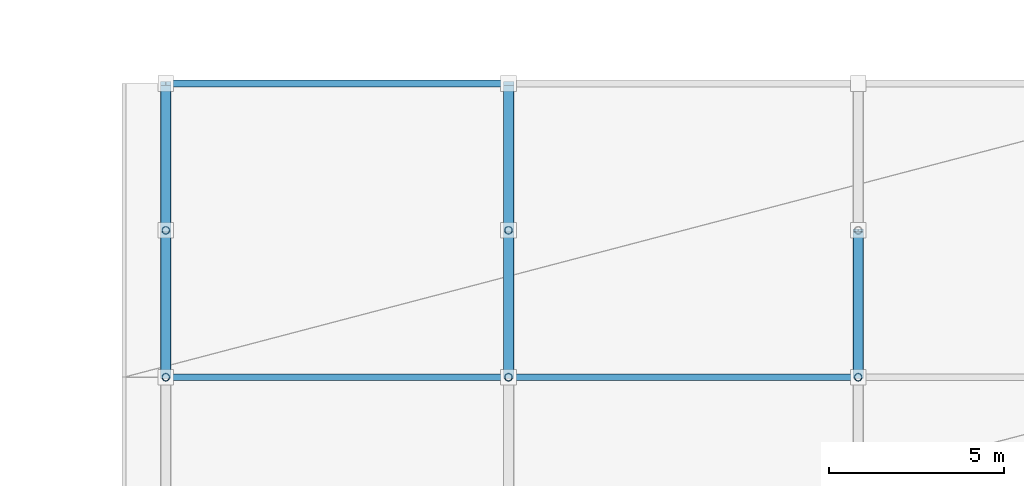
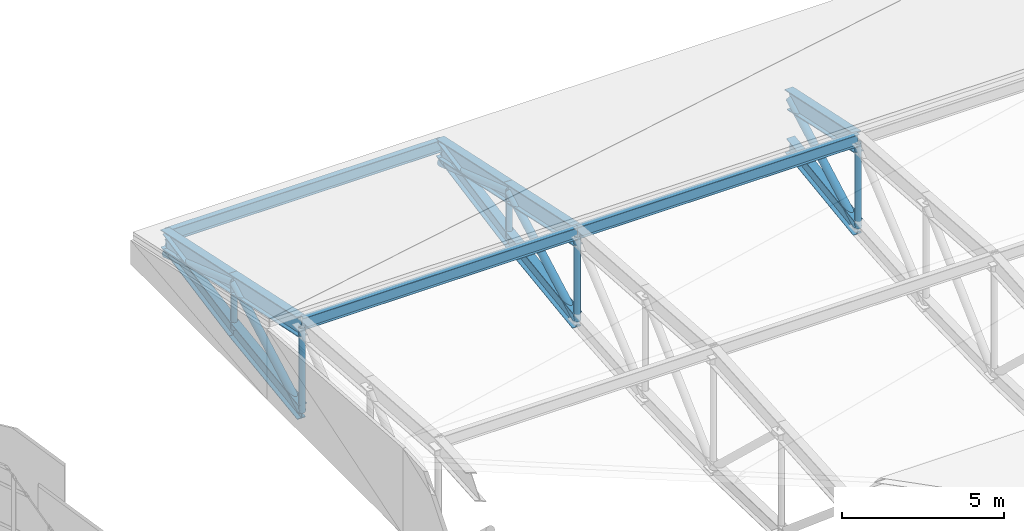
# One storey, part 54 of 87: 13 beams, 10 members.
"""IFC4 building model written with IfcOpenShell, lengths in metres."""

from ifc_helpers import new_model, si_unit, direction, frame, origin, origin_2d, place, context, subcontext, project, spatial, hollow_circle, i_section, extrude, material, material_profile, profile_set, type_object, element, save


model = new_model("IFC4")

# Units and contexts
model_context = context("Model", 3, precision=1e-05, world=origin(), true_north=direction((0.0, 1.0)))
body_context = subcontext(model_context, "Body", "Model", "MODEL_VIEW")
ifc_project = project(units=[si_unit("LENGTHUNIT", "METRE"), si_unit("AREAUNIT", "SQUARE_METRE"), si_unit("VOLUMEUNIT", "CUBIC_METRE"), si_unit("PLANEANGLEUNIT", "RADIAN"), si_unit("MASSUNIT", "GRAM", prefix="KILO")], contexts=[model_context])

# Site, building, storey
site_placement = place(None, origin())
site = spatial("IfcSite", under=ifc_project, at=site_placement, CompositionType="ELEMENT")
building_placement = place(site_placement, origin())
building = spatial("IfcBuilding", under=site, at=building_placement, Name="Sohan Crest Arena", CompositionType="ELEMENT")
storey_placement = place(building_placement, frame((0.0, 0.0, 18.0)))
storey = spatial("IfcBuildingStorey", under=building, at=storey_placement, Name="L04", CompositionType="ELEMENT", Elevation=18.0)

# Beams
ifc_material = material(Name="Steel S355", Category="steel")
ifc_material_profile_1 = material_profile(ifc_material, i_section(OverallWidth=0.18994140625, OverallDepth=0.449951171875, WebThickness=0.009521484375, FlangeThickness=0.0146484375, at=origin_2d()), Name="IPE 450")
ifc_profile_set_1 = profile_set([ifc_material_profile_1], Name="Steel S355")
beam_type_1 = type_object("IfcBeamType", Name="STR-BM-B04", PredefinedType="JOIST", material=ifc_profile_set_1)
beam_1_placement = place(storey_placement, frame((196.199951171875, 102.39990234375, 2.2900390625), z_axis=(1.0, 0.0, 0.0), x_axis=(0.0, 1.0, 0.0)))
element("IfcBeam", 1, at=beam_1_placement, inside=storey, type_object=beam_type_1, Name="Structural beam VP-L04-2496", PredefinedType="JOIST", context=body_context, shape_type="SweptSolid", body=[
    extrude(i_section(OverallWidth=0.18994140625, OverallDepth=0.449951171875, WebThickness=0.009521484375, FlangeThickness=0.0146484375, at=origin_2d()), origin(), (0.0, 0.0, 1.0), 9.800048828125),
])
beam_2_placement = place(storey_placement, frame((206.0, 102.39990234375, 2.2900390625), z_axis=(1.0, 0.0, 0.0), x_axis=(0.0, 1.0, 0.0)))
element("IfcBeam", 2, at=beam_2_placement, inside=storey, type_object=beam_type_1, Name="Structural beam VP-L04-2497", PredefinedType="JOIST", context=body_context, shape_type="SweptSolid", body=[
    extrude(i_section(OverallWidth=0.18994140625, OverallDepth=0.449951171875, WebThickness=0.009521484375, FlangeThickness=0.0146484375, at=origin_2d()), origin(), (0.0, 0.0, 1.0), 10.0),
])
beam_3_placement = place(storey_placement, frame((196.199951171875, 110.800048828125, 0.489990234375), z_axis=(1.0, 0.0, 0.0), x_axis=(0.0, 1.0, 0.0)))
element("IfcBeam", 3, at=beam_3_placement, inside=storey, type_object=beam_type_1, Name="Structural beam VP-L04-2499", PredefinedType="JOIST", context=body_context, shape_type="SweptSolid", body=[
    extrude(i_section(OverallWidth=0.18994140625, OverallDepth=0.449951171875, WebThickness=0.009521484375, FlangeThickness=0.0146484375, at=origin_2d()), origin(), (0.0, 0.0, 1.0), 9.800048828125),
])
ifc_material_profile_2 = material_profile(ifc_material, i_section(OverallWidth=0.300048828125, OverallDepth=0.590087890625, WebThickness=0.012939453125, FlangeThickness=0.02490234375, at=origin_2d()), Name="HEA 600")
ifc_profile_set_2 = profile_set([ifc_material_profile_2], Name="Steel S355")
beam_type_2 = type_object("IfcBeamType", Name="STR-BM-B11", PredefinedType="BEAM", material=ifc_profile_set_2)
beam_4_placement = place(storey_placement, frame((196.199951171875, 102.39990234375, -1.037109375), z_axis=(0.0, 0.990659791804, 0.136356799988), x_axis=(-1.0, 0.0, 0.0)))
element("IfcBeam", 4, at=beam_4_placement, inside=storey, type_object=beam_type_2, Name="Structural beam VAB-L04-2439", PredefinedType="BEAM", context=body_context, shape_type="SweptSolid", body=[
    extrude(i_section(OverallWidth=0.300048828125, OverallDepth=0.590087890625, WebThickness=0.012939453125, FlangeThickness=0.02490234375, at=origin_2d()), origin(), (0.0, 0.0, 1.0), 4.23974609375),
])
beam_5_placement = place(storey_placement, frame((196.199951171875, 106.60009765625, -0.458984375), z_axis=(0.0, 0.981945733642, 0.189162829814), x_axis=(-1.0, 0.0, 0.0)))
element("IfcBeam", 5, at=beam_5_placement, inside=storey, type_object=beam_type_2, Name="Structural beam VAB-L04-2441", PredefinedType="BEAM", context=body_context, shape_type="SweptSolid", body=[
    extrude(i_section(OverallWidth=0.300048828125, OverallDepth=0.590087890625, WebThickness=0.012939453125, FlangeThickness=0.02490234375, at=origin_2d()), origin(), (0.0, 0.0, 1.0), 4.277099609375),
])
beam_6_placement = place(storey_placement, frame((206.0, 102.39990234375, -1.037109375), z_axis=(0.0, 0.990659791804, 0.136356799988), x_axis=(-1.0, 0.0, 0.0)))
element("IfcBeam", 6, at=beam_6_placement, inside=storey, type_object=beam_type_2, Name="Structural beam VAB-L04-2455", PredefinedType="BEAM", context=body_context, shape_type="SweptSolid", body=[
    extrude(i_section(OverallWidth=0.300048828125, OverallDepth=0.590087890625, WebThickness=0.012939453125, FlangeThickness=0.02490234375, at=origin_2d()), origin(), (0.0, 0.0, 1.0), 4.23974609375),
])
beam_7_placement = place(storey_placement, frame((206.0, 106.60009765625, -0.458984375), z_axis=(0.0, 0.981945733642, 0.189162829814), x_axis=(-1.0, 0.0, 0.0)))
element("IfcBeam", 7, at=beam_7_placement, inside=storey, type_object=beam_type_2, Name="Structural beam VAB-L04-2457", PredefinedType="BEAM", context=body_context, shape_type="SweptSolid", body=[
    extrude(i_section(OverallWidth=0.300048828125, OverallDepth=0.590087890625, WebThickness=0.012939453125, FlangeThickness=0.02490234375, at=origin_2d()), origin(), (0.0, 0.0, 1.0), 4.277099609375),
])
beam_8_placement = place(storey_placement, frame((216.0, 102.39990234375, -1.037109375), z_axis=(0.0, 0.990659791804, 0.136356799988), x_axis=(-1.0, 0.0, 0.0)))
element("IfcBeam", 8, at=beam_8_placement, inside=storey, type_object=beam_type_2, Name="Structural beam VAB-L04-2471", PredefinedType="BEAM", context=body_context, shape_type="SweptSolid", body=[
    extrude(i_section(OverallWidth=0.300048828125, OverallDepth=0.590087890625, WebThickness=0.012939453125, FlangeThickness=0.02490234375, at=origin_2d()), origin(), (0.0, 0.0, 1.0), 4.23974609375),
])
ifc_material_profile_3 = material_profile(ifc_material, i_section(OverallWidth=0.300048828125, OverallDepth=0.699951171875, WebThickness=0.01708984375, FlangeThickness=0.031982421875, at=origin_2d()), Name="HEB 700")
ifc_profile_set_3 = profile_set([ifc_material_profile_3], Name="Steel S355")
beam_type_3 = type_object("IfcBeamType", Name="STR-BM-B16", PredefinedType="BEAM", material=ifc_profile_set_3)
beam_9_placement = place(storey_placement, frame((196.199951171875, 102.39990234375, 2.169921875), z_axis=(0.0, 0.977809067572, -0.209498036682), x_axis=(-1.0, 0.0, 0.0)))
element("IfcBeam", 9, at=beam_9_placement, inside=storey, type_object=beam_type_3, Name="Structural beam VA-L04-2438", PredefinedType="BEAM", context=body_context, shape_type="SweptSolid", body=[
    extrude(i_section(OverallWidth=0.300048828125, OverallDepth=0.699951171875, WebThickness=0.01708984375, FlangeThickness=0.031982421875, at=origin_2d()), origin(), (0.0, 0.0, 1.0), 4.29541015625),
])
beam_10_placement = place(storey_placement, frame((196.199951171875, 106.60009765625, 1.27001953125), z_axis=(0.0, 0.977806572858, -0.209509680146), x_axis=(-1.0, 0.0, 0.0)))
element("IfcBeam", 10, at=beam_10_placement, inside=storey, type_object=beam_type_3, Name="Structural beam VA-L04-2440", PredefinedType="BEAM", context=body_context, shape_type="SweptSolid", body=[
    extrude(i_section(OverallWidth=0.300048828125, OverallDepth=0.699951171875, WebThickness=0.01708984375, FlangeThickness=0.031982421875, at=origin_2d()), origin(), (0.0, 0.0, 1.0), 4.295166015625),
])
beam_11_placement = place(storey_placement, frame((206.0, 102.39990234375, 2.169921875), z_axis=(0.0, 0.977809067572, -0.209498036682), x_axis=(-1.0, 0.0, 0.0)))
element("IfcBeam", 11, at=beam_11_placement, inside=storey, type_object=beam_type_3, Name="Structural beam VA-L04-2454", PredefinedType="BEAM", context=body_context, shape_type="SweptSolid", body=[
    extrude(i_section(OverallWidth=0.300048828125, OverallDepth=0.699951171875, WebThickness=0.01708984375, FlangeThickness=0.031982421875, at=origin_2d()), origin(), (0.0, 0.0, 1.0), 4.29541015625),
])
beam_12_placement = place(storey_placement, frame((206.0, 106.60009765625, 1.27001953125), z_axis=(0.0, 0.977806572858, -0.209509680146), x_axis=(-1.0, 0.0, 0.0)))
element("IfcBeam", 12, at=beam_12_placement, inside=storey, type_object=beam_type_3, Name="Structural beam VA-L04-2456", PredefinedType="BEAM", context=body_context, shape_type="SweptSolid", body=[
    extrude(i_section(OverallWidth=0.300048828125, OverallDepth=0.699951171875, WebThickness=0.01708984375, FlangeThickness=0.031982421875, at=origin_2d()), origin(), (0.0, 0.0, 1.0), 4.295166015625),
])
beam_13_placement = place(storey_placement, frame((216.0, 102.39990234375, 2.169921875), z_axis=(0.0, 0.977809067572, -0.209498036682), x_axis=(-1.0, 0.0, 0.0)))
element("IfcBeam", 13, at=beam_13_placement, inside=storey, type_object=beam_type_3, Name="Structural beam VA-L04-2470", PredefinedType="BEAM", context=body_context, shape_type="SweptSolid", body=[
    extrude(i_section(OverallWidth=0.300048828125, OverallDepth=0.699951171875, WebThickness=0.01708984375, FlangeThickness=0.031982421875, at=origin_2d()), origin(), (0.0, 0.0, 1.0), 4.29541015625),
])

# Members
ifc_material_profile_4 = material_profile(ifc_material, hollow_circle(Radius=0.109619140625, WallThickness=0.010009765625, at=origin_2d()), Name="CHS 219.1x10")
ifc_profile_set_4 = profile_set([ifc_material_profile_4], Name="Steel S355")
member_type_1 = type_object("IfcMemberType", Name="STR-MEM-BR01", PredefinedType="BRACE", material=ifc_profile_set_4)
member_1_placement = place(storey_placement, frame((196.199951171875, 102.39990234375, -1.037109375), z_axis=(0.0, 0.0, 1.0), x_axis=(1.0, 0.0, 0.0)))
element("IfcMember", 14, at=member_1_placement, inside=storey, type_object=member_type_1, Name="Vault truss web strut VW-012", PredefinedType="BRACE", context=body_context, shape_type="SweptSolid", body=[
    extrude(hollow_circle(Radius=0.109619140625, WallThickness=0.010009765625, at=origin_2d()), origin(), (0.0, 0.0, 1.0), 3.20703125),
])
member_2_placement = place(storey_placement, frame((196.199951171875, 106.60009765625, -0.458984375), z_axis=(0.0, 0.0, 1.0), x_axis=(1.0, 0.0, 0.0)))
element("IfcMember", 15, at=member_2_placement, inside=storey, type_object=member_type_1, Name="Vault truss web strut VW-014", PredefinedType="BRACE", context=body_context, shape_type="SweptSolid", body=[
    extrude(hollow_circle(Radius=0.109619140625, WallThickness=0.010009765625, at=origin_2d()), origin(), (0.0, 0.0, 1.0), 1.72900390625),
])
member_3_placement = place(storey_placement, frame((206.0, 102.39990234375, -1.037109375), z_axis=(0.0, 0.0, 1.0), x_axis=(1.0, 0.0, 0.0)))
element("IfcMember", 16, at=member_3_placement, inside=storey, type_object=member_type_1, Name="Vault truss web strut VW-027", PredefinedType="BRACE", context=body_context, shape_type="SweptSolid", body=[
    extrude(hollow_circle(Radius=0.109619140625, WallThickness=0.010009765625, at=origin_2d()), origin(), (0.0, 0.0, 1.0), 3.20703125),
])
member_4_placement = place(storey_placement, frame((206.0, 106.60009765625, -0.458984375), z_axis=(0.0, 0.0, 1.0), x_axis=(1.0, 0.0, 0.0)))
element("IfcMember", 17, at=member_4_placement, inside=storey, type_object=member_type_1, Name="Vault truss web strut VW-029", PredefinedType="BRACE", context=body_context, shape_type="SweptSolid", body=[
    extrude(hollow_circle(Radius=0.109619140625, WallThickness=0.010009765625, at=origin_2d()), origin(), (0.0, 0.0, 1.0), 1.72900390625),
])
member_5_placement = place(storey_placement, frame((216.0, 102.39990234375, -1.037109375), z_axis=(0.0, 0.0, 1.0), x_axis=(1.0, 0.0, 0.0)))
element("IfcMember", 18, at=member_5_placement, inside=storey, type_object=member_type_1, Name="Vault truss web strut VW-042", PredefinedType="BRACE", context=body_context, shape_type="SweptSolid", body=[
    extrude(hollow_circle(Radius=0.109619140625, WallThickness=0.010009765625, at=origin_2d()), origin(), (0.0, 0.0, 1.0), 3.20703125),
])
ifc_material_profile_5 = material_profile(ifc_material, hollow_circle(Radius=0.136474609375, WallThickness=0.012451171875, at=origin_2d()), Name="CHS 273x12.5")
ifc_profile_set_5 = profile_set([ifc_material_profile_5], Name="Steel S355")
member_type_2 = type_object("IfcMemberType", Name="STR-MEM-BR02", PredefinedType="BRACE", material=ifc_profile_set_5)
member_6_placement = place(storey_placement, frame((196.199951171875, 102.39990234375, -1.037109375), z_axis=(0.0, 0.876478234726, 0.481441485594), x_axis=(-1.0, 0.0, 0.0)))
element("IfcMember", 19, at=member_6_placement, inside=storey, type_object=member_type_2, Name="Vault truss diagonal VDG-013", PredefinedType="BRACE", context=body_context, shape_type="SweptSolid", body=[
    extrude(hollow_circle(Radius=0.136474609375, WallThickness=0.012451171875, at=origin_2d()), origin(), (0.0, 0.0, 1.0), 4.792236328125),
])
member_7_placement = place(storey_placement, frame((196.199951171875, 110.800048828125, -0.18994140625), z_axis=(0.0, -0.944559001123, 0.328341732646), x_axis=(1.0, 0.0, 0.0)))
element("IfcMember", 20, at=member_7_placement, inside=storey, type_object=member_type_2, Name="Vault truss diagonal VDG-015", PredefinedType="BRACE", context=body_context, shape_type="SweptSolid", body=[
    extrude(hollow_circle(Radius=0.136474609375, WallThickness=0.012451171875, at=origin_2d()), origin(), (0.0, 0.0, 1.0), 4.446533203125),
])
member_8_placement = place(storey_placement, frame((206.0, 102.39990234375, -1.037109375), z_axis=(0.0, 0.876478234726, 0.481441485594), x_axis=(-1.0, 0.0, 0.0)))
element("IfcMember", 21, at=member_8_placement, inside=storey, type_object=member_type_2, Name="Vault truss diagonal VDG-028", PredefinedType="BRACE", context=body_context, shape_type="SweptSolid", body=[
    extrude(hollow_circle(Radius=0.136474609375, WallThickness=0.012451171875, at=origin_2d()), origin(), (0.0, 0.0, 1.0), 4.792236328125),
])
member_9_placement = place(storey_placement, frame((206.0, 110.800048828125, -0.18994140625), z_axis=(0.0, -0.944559001123, 0.328341732646), x_axis=(1.0, 0.0, 0.0)))
element("IfcMember", 22, at=member_9_placement, inside=storey, type_object=member_type_2, Name="Vault truss diagonal VDG-030", PredefinedType="BRACE", context=body_context, shape_type="SweptSolid", body=[
    extrude(hollow_circle(Radius=0.136474609375, WallThickness=0.012451171875, at=origin_2d()), origin(), (0.0, 0.0, 1.0), 4.446533203125),
])
member_10_placement = place(storey_placement, frame((216.0, 102.39990234375, -1.037109375), z_axis=(0.0, 0.876478234726, 0.481441485594), x_axis=(-1.0, 0.0, 0.0)))
element("IfcMember", 23, at=member_10_placement, inside=storey, type_object=member_type_2, Name="Vault truss diagonal VDG-043", PredefinedType="BRACE", context=body_context, shape_type="SweptSolid", body=[
    extrude(hollow_circle(Radius=0.136474609375, WallThickness=0.012451171875, at=origin_2d()), origin(), (0.0, 0.0, 1.0), 4.792236328125),
])

save(model, "model.ifc")
